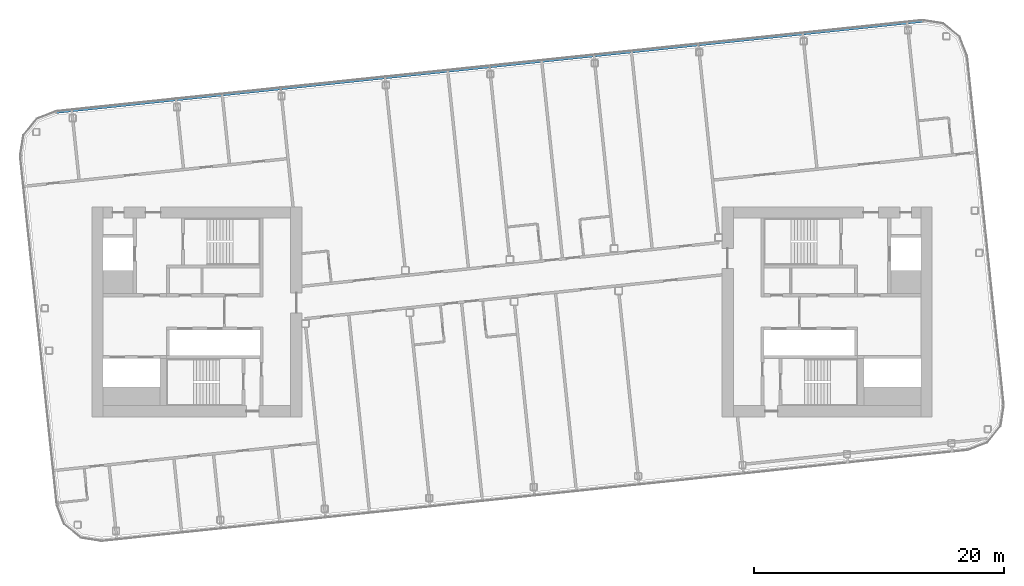
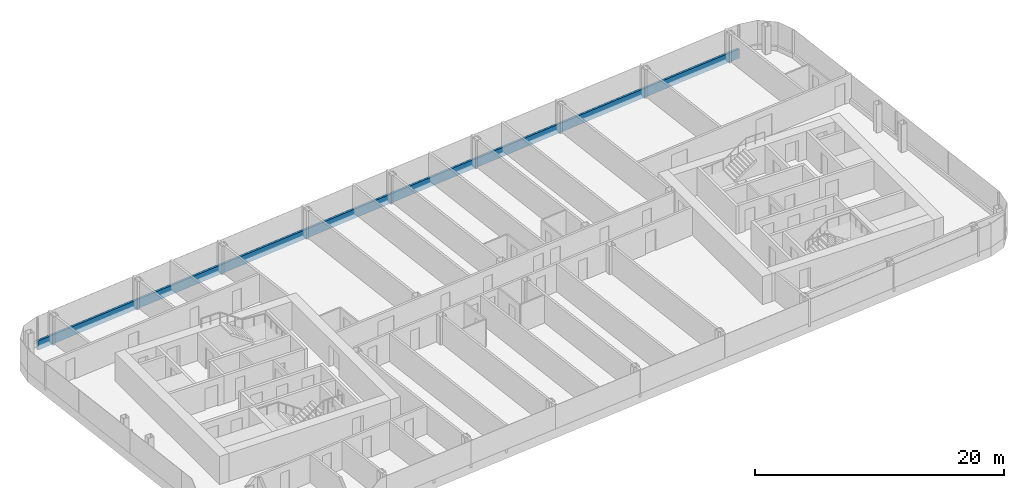
# One storey, part 10 of 27: 1 member, 1 element without a shape of its own.
"""IFC4 building model written with IfcOpenShell, lengths in metres."""

from ifc_helpers import new_model, si_unit, direction, frame, origin, origin_2d, place, context, subcontext, project, spatial, rectangle, extrude, material, layer, layer_set, material_profile, profile_set, type_object, element, aggregate, save


model = new_model("IFC4")

# Units and contexts
model_context = context("Model", 3, precision=1e-05, world=origin(), true_north=direction((0.0, 1.0)))
body_context = subcontext(model_context, "Body", "Model", "MODEL_VIEW")
ifc_project = project(units=[si_unit("LENGTHUNIT", "METRE"), si_unit("AREAUNIT", "SQUARE_METRE"), si_unit("VOLUMEUNIT", "CUBIC_METRE"), si_unit("PLANEANGLEUNIT", "RADIAN"), si_unit("MASSUNIT", "GRAM", prefix="KILO")], contexts=[model_context])

# Site, building, storey
site_placement = place(None, origin())
site = spatial("IfcSite", under=ifc_project, at=site_placement, CompositionType="ELEMENT")
building_placement = place(site_placement, origin())
building = spatial("IfcBuilding", under=site, at=building_placement, Name="Hakoniwa Tower and Hamabe Station Hall", CompositionType="ELEMENT")
storey_placement = place(building_placement, frame((0.0, 0.0, 255.0)))
storey = spatial("IfcBuildingStorey", under=building, at=storey_placement, Name="L72", CompositionType="ELEMENT", Elevation=255.0)

# Curtain wall, member
ifc_material_1 = material(Name="Dark low-e laminated glass", Category="glass")
ifc_layer = layer(ifc_material_1, 0.199951171875)
ifc_layer_set = layer_set([ifc_layer], Name="CW-1 UNITISED GUEST")
curtain_wall_type = type_object("IfcCurtainWallType", Name="CW-1 UNITISED GUEST", PredefinedType="NOTDEFINED", material=ifc_layer_set)
curtain_wall_placement = place(storey_placement, origin())
curtain_wall = element("IfcCurtainWall", 1, at=curtain_wall_placement, inside=storey, type_object=curtain_wall_type, Name="CW-1 curtain wall", PredefinedType="NOTDEFINED")
ifc_material_2 = material(Name="Aluminium 6063-T5 black anodised", Category="aluminium")
ifc_material_profile = material_profile(ifc_material_2, rectangle(XDim=0.199951171875, YDim=0.89990234375, at=origin_2d()), Name="CW SLAB-EDGE BAND 900X200")
ifc_profile_set = profile_set([ifc_material_profile], Name="Aluminium 6063-T5 black anodised")
member_type = type_object("IfcMemberType", Name="CW SLAB-EDGE BAND 900X200", PredefinedType="USERDEFINED", material=ifc_profile_set)
member_placement = place(storey_placement, frame((32.850830078125, 23.24755859375, -0.10009765625), z_axis=(-0.994521894037, -0.10452847593, 0.0), x_axis=(0.10452847593, -0.994521894037, 0.0)))
member = element("IfcMember", 2, at=member_placement, type_object=member_type, Name="CW-1 transom", ObjectType="TRANSOM", PredefinedType="USERDEFINED", context=body_context, shape_type="SweptSolid", body=[
    extrude(rectangle(XDim=0.199951171875, YDim=0.89990234375, at=origin_2d()), origin(), (0.0, 0.0, 1.0), 69.678955078125),
])
aggregate(curtain_wall, [member])

save(model, "model.ifc")
